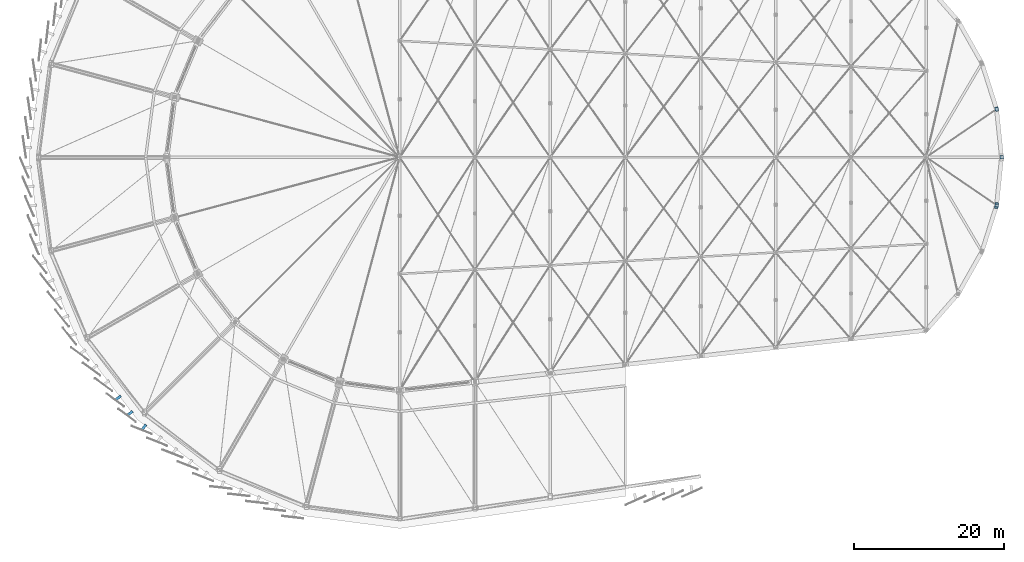
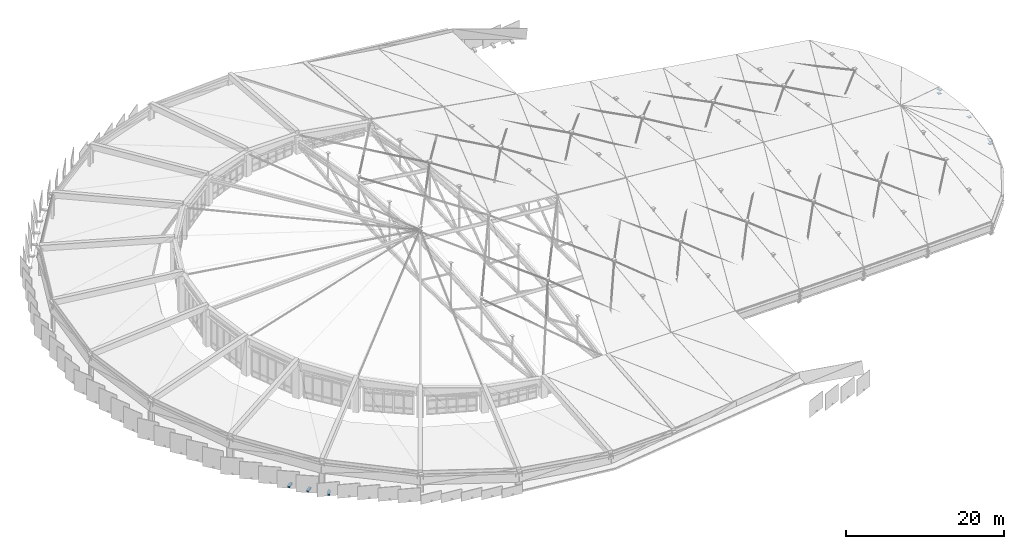
# One storey, part 64 of 68: 5 plates, 3 discrete accessories.
"""IFC4 building model written with IfcOpenShell, lengths in metres."""

from ifc_helpers import new_model, si_unit, direction, frame, origin, origin_2d, place, context, subcontext, project, spatial, rectangle, extrude, material, layer, layer_set, type_object, element, save


model = new_model("IFC4")

# Units and contexts
model_context = context("Model", 3, precision=1e-05, world=origin(), true_north=direction((0.0, 1.0)))
body_context = subcontext(model_context, "Body", "Model", "MODEL_VIEW")
ifc_project = project(units=[si_unit("LENGTHUNIT", "METRE"), si_unit("AREAUNIT", "SQUARE_METRE"), si_unit("VOLUMEUNIT", "CUBIC_METRE"), si_unit("PLANEANGLEUNIT", "RADIAN"), si_unit("MASSUNIT", "GRAM", prefix="KILO")], contexts=[model_context])

# Site, building, storey
site_placement = place(None, origin())
site = spatial("IfcSite", under=ifc_project, at=site_placement, CompositionType="ELEMENT")
building_placement = place(site_placement, origin())
building = spatial("IfcBuilding", under=site, at=building_placement, Name="Sohan Crest Arena", CompositionType="ELEMENT")
storey_placement = place(building_placement, frame((0.0, 0.0, 27.0)))
storey = spatial("IfcBuildingStorey", under=building, at=storey_placement, Name="RF", CompositionType="ELEMENT", Elevation=27.0)

# Plates
ifc_material = material(Name="Steel S355", Category="steel")
ifc_layer_1 = layer(ifc_material, 0.031982421875, Name="Steel S355")
ifc_layer_set_1 = layer_set([ifc_layer_1], Name="Steel S355")
plate_type_1 = type_object("IfcPlateType", Name="STR-PL-BP01", PredefinedType="USERDEFINED", material=ifc_layer_set_1)
for number, where, z_axis, x_axis, name in (
    (1, (177.363037109375, 71.593017578125, -3.7685546875), (0.0, 0.0, 1.0), (1.0, 0.0, 0.0), "Hollow section end cap plate ECP-0483"),
    (2, (178.02294921875, 78.0, -3.782470703125), (0.0, 0.0, 1.0), (1.0, 0.0, 0.0), "Hollow section end cap plate ECP-0484"),
    (3, (177.363037109375, 84.406982421875, -3.7685546875), (0.0, 0.0, 1.0), (1.0, 0.0, 0.0), "Hollow section end cap plate ECP-0485"),
):
    element("IfcPlate", number, at=place(storey_placement, frame(where, z_axis=z_axis, x_axis=x_axis)), inside=storey, type_object=plate_type_1, Name=name, ObjectType="BASE PLATE", PredefinedType="USERDEFINED", context=body_context, shape_type="SweptSolid", body=[
        extrude(rectangle(XDim=0.449951171875, YDim=0.449951171875, at=origin_2d()), origin(), (0.0, 0.0, 1.0), 0.02490234375),
    ])
ifc_layer_2 = layer(ifc_material, 0.030029296875, Name="Steel S355")
ifc_layer_set_2 = layer_set([ifc_layer_2], Name="Steel S355")
plate_type_2 = type_object("IfcPlateType", Name="STR-PL-GP02", PredefinedType="USERDEFINED", material=ifc_layer_set_2)
plate_1_placement = place(storey_placement, frame((177.363037109375, 71.593017578125, -3.2109375), z_axis=(0.0, 0.0, 1.0), x_axis=(0.102792536787, 0.994702817117, 0.0)))
element("IfcPlate", 4, at=plate_1_placement, inside=storey, type_object=plate_type_2, Name="Ring beam node gusset plate GP-RB23", ObjectType="GUSSET PLATE", PredefinedType="USERDEFINED", context=body_context, shape_type="SweptSolid", body=[
    extrude(rectangle(XDim=0.780029296875, YDim=0.47998046875, at=origin_2d()), origin(), (0.0, 0.0, 1.0), 0.030029296875),
])
ifc_layer_3 = layer(ifc_material, 0.02392578125, Name="Steel S355")
ifc_layer_set_3 = layer_set([ifc_layer_3], Name="Steel S355")
plate_type_3 = type_object("IfcPlateType", Name="STR-PL-GP04", PredefinedType="USERDEFINED", material=ifc_layer_set_3)
plate_2_placement = place(storey_placement, frame((177.363037109375, 84.406982421875, -3.2080078125), z_axis=(0.0, 0.0, 1.0), x_axis=(-0.304033060925, 0.952661481254, 0.0)))
element("IfcPlate", 5, at=plate_2_placement, inside=storey, type_object=plate_type_3, Name="Ring beam node gusset plate GP-RB25", ObjectType="GUSSET PLATE", PredefinedType="USERDEFINED", context=body_context, shape_type="SweptSolid", body=[
    extrude(rectangle(XDim=0.580078125, YDim=0.360107421875, at=origin_2d()), origin(), (0.0, 0.0, 1.0), 0.02392578125),
])

# Discrete accessories
discrete_accessory_type = type_object("IfcDiscreteAccessoryType", Name="ARC-ACC-BRK1", PredefinedType="BRACKET", material=ifc_material)
for number, where, z_axis, x_axis, name in (
    (6, (60.512939453125, 45.988037109375, -0.0498046875), (0.0, 0.0, 1.0), (0.608761429009, -0.793353340291, 0.0), "Upper nose scale bracket BRK-0695"),
    (7, (62.08203125, 43.943115234375, -0.0498046875), (0.0, 0.0, 1.0), (0.608761429009, -0.793353340291, 0.0), "Upper nose scale bracket BRK-0696"),
    (8, (63.943115234375, 42.08203125, -0.0498046875), (0.0, 0.0, 1.0), (0.793353340291, -0.608761429009, 0.0), "Upper nose scale bracket BRK-0699"),
):
    element("IfcDiscreteAccessory", number, at=place(storey_placement, frame(where, z_axis=z_axis, x_axis=x_axis)), inside=storey, type_object=discrete_accessory_type, Name=name, PredefinedType="BRACKET", context=body_context, shape_type="SweptSolid", body=[
        extrude(rectangle(XDim=0.35009765625, YDim=0.9599609375, at=origin_2d()), origin(), (0.0, 0.0, 1.0), 0.219970703125),
    ])

save(model, "model.ifc")
